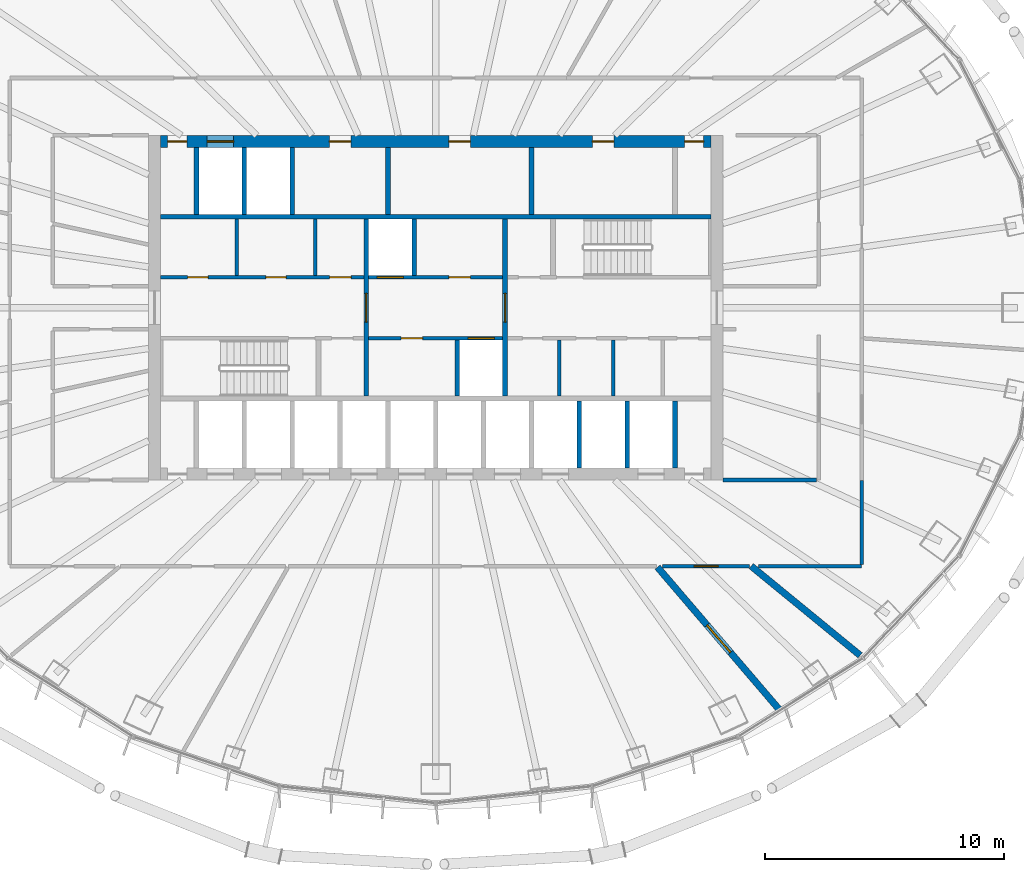
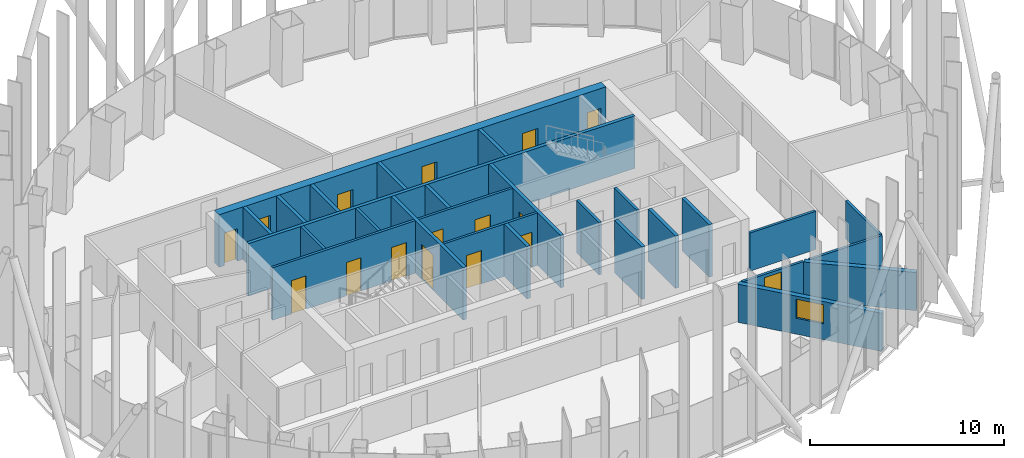
# One storey, part 9 of 19: 27 walls, 16 doors, 1 window, 17 openings.
"""IFC4 building model written with IfcOpenShell, lengths in metres."""

import ifcopenshell
import ifcopenshell.guid

model = None  # the IFC model being written
_history = None  # IfcOwnerHistory: only IFC2X3 demands one
_inside = {}  # id of a spatial element -> (the spatial element, [elements in it])
_under = {}  # id of a project, library or spatial element -> (it, [spatial elements below it])
_declared = {}  # id of a project -> (the project, [libraries it declares])
_typed = {}  # id of a type object -> (the type object, [elements of that type])
_made_of = {}  # id of a material, layer set ... -> (it, [elements and type objects made of it])


def new_model(schema):
    """Start an empty IFC model of exactly this schema.

    Asked for "IFC4X3", IfcOpenShell would pick the latest addendum, in which some entities
    have other attributes; the version numbers below select the first issue.
    IFC2X3 requires an IfcOwnerHistory on every rooted entity: one is made here for all.
    """
    global model, _history
    if schema == "IFC4X3":
        model = ifcopenshell.file(schema_version=(4, 3, 0, 0))
    else:
        model = ifcopenshell.file(schema=schema)
    _inside.clear()
    _under.clear()
    _declared.clear()
    _typed.clear()
    _made_of.clear()
    _history = None
    if model.schema == "IFC2X3":
        org = make("IfcOrganization", Name="unknown")
        user = make(
            "IfcPersonAndOrganization",
            ThePerson=make("IfcPerson", FamilyName="unknown"),
            TheOrganization=org,
        )
        app = make(
            "IfcApplication",
            ApplicationDeveloper=org,
            Version="unknown",
            ApplicationFullName="unknown",
            ApplicationIdentifier="unknown",
        )
        _history = make(
            "IfcOwnerHistory",
            OwningUser=user,
            OwningApplication=app,
            ChangeAction="ADDED",
            CreationDate=0,
        )
    return model


def make(cls, **values):
    """One entity of the class cls with the attributes given. An attribute that is None is left unset."""
    return model.create_entity(
        cls, **{name: value for name, value in values.items() if value is not None}
    )


def rooted(cls, **values):
    """An entity with a GlobalId (a new one), such as an element, a storey or a relation."""
    return make(cls, GlobalId=ifcopenshell.guid.new(), OwnerHistory=_history, **values)


def si_unit(unit_type, name, prefix=None):
    """IfcSIUnit, for example si_unit("LENGTHUNIT", "METRE", prefix="MILLI")."""
    return make("IfcSIUnit", UnitType=unit_type, Prefix=prefix, Name=name)


def assignment(units):
    """IfcUnitAssignment: the units of a project."""
    return None if units is None else make("IfcUnitAssignment", Units=units)


def point(xyz):
    """IfcCartesianPoint."""
    return None if xyz is None else make("IfcCartesianPoint", Coordinates=xyz)


def direction(xyz):
    """IfcDirection."""
    return None if xyz is None else make("IfcDirection", DirectionRatios=xyz)


def frame(location, z_axis=None, x_axis=None):
    """IfcAxis2Placement3D, a coordinate frame: its origin and axes. An axis left out is left unset."""
    return make(
        "IfcAxis2Placement3D",
        Location=point(location),
        Axis=direction(z_axis),
        RefDirection=direction(x_axis),
    )


def frame_2d(location, x_axis=None):
    """IfcAxis2Placement2D, a coordinate frame in the plane: its origin and x axis."""
    return make(
        "IfcAxis2Placement2D", Location=point(location), RefDirection=direction(x_axis)
    )


def origin():
    """The frame at (0, 0, 0) with its axes left unset."""
    return frame((0.0, 0.0, 0.0))


def place(relative_to, where):
    """IfcLocalPlacement: puts the frame where relative to a parent placement (None: the world)."""
    return make(
        "IfcLocalPlacement", PlacementRelTo=relative_to, RelativePlacement=where
    )


def context(
    kind, dimensions, precision=None, world=None, true_north=None, identifier=None
):
    """IfcGeometricRepresentationContext, for example the 3D "Model" context."""
    return make(
        "IfcGeometricRepresentationContext",
        ContextIdentifier=identifier,
        ContextType=kind,
        CoordinateSpaceDimension=dimensions,
        Precision=precision,
        WorldCoordinateSystem=world,
        TrueNorth=true_north,
    )


def subcontext(parent, identifier, kind, view, scale=None):
    """IfcGeometricRepresentationSubContext, for example "Body" below "Model"."""
    return make(
        "IfcGeometricRepresentationSubContext",
        ContextIdentifier=identifier,
        ContextType=kind,
        ParentContext=parent,
        TargetScale=scale,
        TargetView=view,
    )


def project(units=None, contexts=None):
    """IfcProject with its units and contexts."""
    return rooted(
        "IfcProject",
        Name="project",
        RepresentationContexts=contexts,
        UnitsInContext=assignment(units),
    )


def spatial(cls, under=None, at=None, **own):
    """A site, building, storey or space (cls), placed at a placement, below another one or the project."""
    s = rooted(cls, ObjectPlacement=at, **own)
    if under is not None:
        _under.setdefault(under.id(), (under, []))[1].append(s)
    return s


def profile(cls, at=None, kind="AREA", **sizes):
    """A parametric profile (cls). Its sizes go by their IFC names, for example OverallWidth=200.0."""
    return make(cls, ProfileType=kind, Position=at, **sizes)


def rectangle(**sizes):
    """IfcRectangleProfileDef."""
    return profile("IfcRectangleProfileDef", **sizes)


def extrude(swept, where, along, depth):
    """IfcExtrudedAreaSolid: the profile swept, set in the frame where, extruded along a direction by depth."""
    return make(
        "IfcExtrudedAreaSolid",
        SweptArea=swept,
        Position=where,
        ExtrudedDirection=direction(along),
        Depth=depth,
    )


def shape(context_of_items, identifier, shape_type, items):
    """IfcShapeRepresentation: the items that make up one representation, for example the "Body"."""
    return make(
        "IfcShapeRepresentation",
        ContextOfItems=context_of_items,
        RepresentationIdentifier=identifier,
        RepresentationType=shape_type,
        Items=items,
    )


def material(Name=None, Category=None):
    """IfcMaterial."""
    return make("IfcMaterial", Name=Name, Category=Category)


def layer(
    of_material, thickness, ventilated=None, Name=None, Category=None, Priority=None
):
    """IfcMaterialLayer: one layer of a wall or slab, of a material (None: an air gap)."""
    return make(
        "IfcMaterialLayer",
        Material=of_material,
        LayerThickness=thickness,
        IsVentilated=ventilated,
        Name=Name,
        Category=Category,
        Priority=Priority,
    )


def layer_set(layers, Name=None):
    """IfcMaterialLayerSet."""
    return make("IfcMaterialLayerSet", MaterialLayers=layers, LayerSetName=Name)


def made_of(thing, what):
    """Note that an element or type object is made of a material, layer set ...; save() writes the relation."""
    if what is not None:
        _made_of.setdefault(what.id(), (what, []))[1].append(thing)
    return thing


def type_object(cls, material=None, **own):
    """A type object (cls), such as IfcWallType, which elements share."""
    return made_of(rooted(cls, **own), material)


def element(
    cls,
    number,
    at=None,
    inside=None,
    cuts=None,
    type_object=None,
    material=None,
    context=None,
    identifier="Body",
    shape_type=None,
    held_by="IfcProductDefinitionShape",
    body=None,
    shapes=None,
    **own,
):
    """One element of the class cls, such as IfcWall. Its Tag is "e" and its number.

    at: its placement. inside: the storey or other place that contains it. cuts: it is an
    opening in that element (IfcRelVoidsElement). A single representation is given by context,
    identifier, shape_type and body (its items); several are given by shapes. held_by: the class
    of the entity that holds the representations. save() writes the other relations.
    """
    e = rooted(cls, Tag="e%d" % number, ObjectPlacement=at, **own)
    if body is not None:
        shapes = [shape(context, identifier, shape_type, body)]
    if shapes is not None:
        e.Representation = make(held_by, Representations=shapes)
    if inside is not None:
        _inside.setdefault(inside.id(), (inside, []))[1].append(e)
    if cuts is not None:
        rooted(
            "IfcRelVoidsElement", RelatingBuildingElement=cuts, RelatedOpeningElement=e
        )
    if type_object is not None:
        _typed.setdefault(type_object.id(), (type_object, []))[1].append(e)
    return made_of(e, material)


def fill(opening, filler):
    """IfcRelFillsElement: the door or window that sits in an opening."""
    return rooted(
        "IfcRelFillsElement",
        RelatingOpeningElement=opening,
        RelatedBuildingElement=filler,
    )


def aggregate(whole, parts):
    """IfcRelAggregates: a whole, such as a stair, and the parts it consists of."""
    return rooted("IfcRelAggregates", RelatingObject=whole, RelatedObjects=parts)


def save(model, path):
    """Write the relations noted so far, then the file.

    IfcRelAggregates (storeys below a building ...), IfcRelContainedInSpatialStructure (elements
    in a storey), IfcRelDefinesByType, IfcRelAssociatesMaterial and IfcRelDeclares: one each for
    every whole, place, type object, material and project.
    """
    for whole, parts in _under.values():
        aggregate(whole, parts)
    for where, things in _inside.values():
        rooted(
            "IfcRelContainedInSpatialStructure",
            RelatedElements=things,
            RelatingStructure=where,
        )
    for kind, things in _typed.values():
        rooted("IfcRelDefinesByType", RelatedObjects=things, RelatingType=kind)
    for what, things in _made_of.values():
        rooted("IfcRelAssociatesMaterial", RelatedObjects=things, RelatingMaterial=what)
    for by, libraries in _declared.values():
        rooted("IfcRelDeclares", RelatingContext=by, RelatedDefinitions=libraries)
    model.write(path)


model = new_model("IFC4")

# Units and contexts
model_context = context("Model", 3, precision=1e-05, world=origin(), true_north=direction((0.0, 1.0)))
body_context = subcontext(model_context, "Body", "Model", "MODEL_VIEW")
ifc_project = project(units=[si_unit("LENGTHUNIT", "METRE"), si_unit("AREAUNIT", "SQUARE_METRE"), si_unit("VOLUMEUNIT", "CUBIC_METRE"), si_unit("PLANEANGLEUNIT", "RADIAN"), si_unit("MASSUNIT", "GRAM", prefix="KILO")], contexts=[model_context])

# Site, building, storey
site_placement = place(None, origin())
site = spatial("IfcSite", under=ifc_project, at=site_placement, CompositionType="ELEMENT")
building_placement = place(site_placement, origin())
building = spatial("IfcBuilding", under=site, at=building_placement, Name="Siaravel Broadcast Tower", CompositionType="ELEMENT")
storey_placement = place(building_placement, frame((0.0, 0.0, 119.300048828125)))
storey = spatial("IfcBuildingStorey", under=building, at=storey_placement, Name="L28", CompositionType="ELEMENT", Elevation=119.300048828125)

# Wall, opening, window
ifc_material_1 = material(Name="Double-leaf acoustic partition", Category="gypsum")
ifc_layer_1 = layer(ifc_material_1, 0.280029296875)
ifc_layer_set_1 = layer_set([ifc_layer_1], Name="Double-leaf acoustic partition")
wall_type_1 = type_object("IfcWallType", Name="Acoustic double-leaf wall 280", PredefinedType="PARTITIONING", material=ifc_layer_set_1)
wall_1_placement = place(storey_placement, frame((14.38623046875, -16.829345703125, 0.0), z_axis=(0.0, 0.0, 1.0), x_axis=(-0.649784617, 0.76011838, 0.0)))
wall_1 = element("IfcWall", 1, at=wall_1_placement, inside=storey, type_object=wall_type_1, Name="L28 partition 9", PredefinedType="PARTITIONING", context=body_context, shape_type="SweptSolid", body=[
    extrude(rectangle(XDim=7.873046875, YDim=0.280029296875, at=frame_2d((3.9365234375, 0.0))), origin(), (0.0, 0.0, 1.0), 2.39990234375),
])
opening_1_placement = place(wall_1_placement, frame((3.1865234375, 0.0, 1.0)))
opening_1 = element("IfcOpeningElement", 2, at=opening_1_placement, cuts=wall_1, Name="Opening L28-W01", PredefinedType="OPENING", context=body_context, shape_type="SweptSolid", body=[
    extrude(rectangle(XDim=1.5, YDim=1.199951171875, at=frame_2d((0.75, 0.60009765625))), frame((0.0, 0.14990234375, 0.0), z_axis=(0.0, -1.0, 0.0), x_axis=(1.0, 0.0, 0.0)), (0.0, 0.0, 1.0), 0.300048828125),
])
ifc_material_2 = material(Name="Laminated acoustic glass", Category="glass")
window_type = type_object("IfcWindowType", Name="Studio viewing window 1500", PartitioningType="SINGLE_PANEL", PredefinedType="WINDOW", material=ifc_material_2)
window_placement = place(opening_1_placement, origin())
window = element("IfcWindow", 3, at=window_placement, inside=storey, type_object=window_type, Name="L28 viewing window to Post-production room", OverallHeight=1.199951171875, OverallWidth=1.5, PartitioningType="SINGLE_PANEL", PredefinedType="WINDOW", context=body_context, shape_type="SweptSolid", body=[
    extrude(rectangle(XDim=1.5, YDim=1.199951171875, at=frame_2d((0.75, 0.60009765625))), frame((0.0, 0.030029296875, 0.0), z_axis=(0.0, -1.0, 0.0), x_axis=(1.0, 0.0, 0.0)), (0.0, 0.0, 1.0), 0.06005859375),
])
fill(opening_1, window)

# Walls
wall_2_placement = place(storey_placement, frame((13.18505859375, -10.800048828125, 0.0), z_axis=(0.0, 0.0, 1.0), x_axis=(0.773609752, -0.633662333, 0.0)))
element("IfcWall", 4, at=wall_2_placement, inside=storey, type_object=wall_type_1, Name="L28 partition 19", PredefinedType="PARTITIONING", context=body_context, shape_type="SweptSolid", body=[
    extrude(rectangle(XDim=5.885986328125, YDim=0.280029296875, at=frame_2d((2.94287109375, 0.0))), origin(), (0.0, 0.0, 1.0), 2.39990234375),
])
ifc_material_3 = material(Name="Concrete blockwork", Category="masonry")
ifc_layer_2 = layer(ifc_material_3, 0.14990234375)
ifc_layer_set_2 = layer_set([ifc_layer_2], Name="Concrete blockwork")
wall_type_2 = type_object("IfcWallType", Name="Core partition 150", PredefinedType="PARTITIONING", material=ifc_layer_set_2)
for number, where, z_axis, x_axis, name in (
    (5, (-8.30908203125, 1.35009765625, 0.0), (0.0, 0.0, 1.0), (0.0, 1.0, 0.0), "L28 core partition PNW0"),
    (6, (-5.04296875, 1.35009765625, 0.0), (0.0, 0.0, 1.0), (0.0, 1.0, 0.0), "L28 core partition PNW1"),
    (7, (5.16796875, -3.699951171875, 0.0), (0.0, 0.0, 1.0), (0.0, 1.0, 0.0), "L28 core partition PSE0"),
    (8, (7.410888671875, -3.699951171875, 0.0), (0.0, 0.0, 1.0), (0.0, 1.0, 0.0), "L28 core partition PSE1"),
):
    element("IfcWall", number, at=place(storey_placement, frame(where, z_axis=z_axis, x_axis=x_axis)), inside=storey, type_object=wall_type_2, Name=name, PredefinedType="PARTITIONING", context=body_context, shape_type="SweptSolid", body=[
        extrude(rectangle(XDim=2.349853515625, YDim=0.14990234375, at=frame_2d((1.1748046875, 0.0))), origin(), (0.0, 0.0, 1.0), 3.300048828125),
    ])
ifc_layer_3 = layer(ifc_material_3, 0.199951171875)
ifc_layer_set_3 = layer_set([ifc_layer_3], Name="Concrete blockwork")
wall_type_3 = type_object("IfcWallType", Name="Core partition 200", PredefinedType="PARTITIONING", material=ifc_layer_set_3)
for number, where, z_axis, x_axis, name in (
    (9, (-2.0, 3.89990234375, 0.0), (0.0, 0.0, 1.0), (0.0, 1.0, 0.0), "L28 core partition PFN2"),
    (10, (4.0, 3.89990234375, 0.0), (0.0, 0.0, 1.0), (0.0, 1.0, 0.0), "L28 core partition PFN4"),
):
    element("IfcWall", number, at=place(storey_placement, frame(where, z_axis=z_axis, x_axis=x_axis)), inside=storey, type_object=wall_type_3, Name=name, PredefinedType="PARTITIONING", context=body_context, shape_type="SweptSolid", body=[
        extrude(rectangle(XDim=2.800048828125, YDim=0.199951171875, at=frame_2d((1.39990234375, 0.0))), origin(), (0.0, 0.0, 1.0), 3.300048828125),
    ])

# Wall, openings, doors
ifc_material_4 = material(Name="Concrete C60/75", Category="concrete")
ifc_layer_4 = layer(ifc_material_4, 0.5)
ifc_layer_set_4 = layer_set([ifc_layer_4], Name="Concrete C60/75")
wall_type_4 = type_object("IfcWallType", Name="Core wall 500", PredefinedType="SHEAR", material=ifc_layer_set_4)
wall_3_placement = place(storey_placement, frame((-11.5, 6.949951171875, 0.0), z_axis=(0.0, 0.0, 1.0), x_axis=(1.0, 0.0, 0.0)))
wall_3 = element("IfcWall", 11, at=wall_3_placement, inside=storey, type_object=wall_type_4, Name="L28 core wall ON", PredefinedType="SHEAR", context=body_context, shape_type="SweptSolid", body=[
    extrude(rectangle(XDim=23.0, YDim=0.5, at=frame_2d((11.5, 0.0))), origin(), (0.0, 0.0, 1.0), 3.300048828125),
])
opening_2_placement = place(wall_3_placement, frame((1.949951171875, 0.0, 0.0)))
opening_2 = element("IfcOpeningElement", 12, at=opening_2_placement, cuts=wall_3, Name="Opening LD-SV2-L28", PredefinedType="OPENING", context=body_context, shape_type="SweptSolid", body=[
    extrude(rectangle(XDim=1.10009765625, YDim=2.199951171875, at=frame_2d((0.550048828125, 1.10009765625))), frame((0.0, 0.260009765625, 0.0), z_axis=(0.0, -1.0, 0.0), x_axis=(1.0, 0.0, 0.0)), (0.0, 0.0, 1.0), 0.52001953125),
])
opening_3_placement = place(wall_3_placement, frame((7.050048828125, 0.0, 0.0)))
opening_3 = element("IfcOpeningElement", 13, at=opening_3_placement, cuts=wall_3, Name="Opening L28-DFN2", PredefinedType="OPENING", context=body_context, shape_type="SweptSolid", body=[
    extrude(rectangle(XDim=0.89990234375, YDim=2.10009765625, at=frame_2d((0.449951171875, 1.050048828125))), frame((0.0, 0.260009765625, 0.0), z_axis=(0.0, -1.0, 0.0), x_axis=(1.0, 0.0, 0.0)), (0.0, 0.0, 1.0), 0.52001953125),
])
opening_4_placement = place(wall_3_placement, frame((12.050048828125, 0.0, 0.0)))
opening_4 = element("IfcOpeningElement", 14, at=opening_4_placement, cuts=wall_3, Name="Opening L28-DFN4", PredefinedType="OPENING", context=body_context, shape_type="SweptSolid", body=[
    extrude(rectangle(XDim=0.89990234375, YDim=2.10009765625, at=frame_2d((0.449951171875, 1.050048828125))), frame((0.0, 0.260009765625, 0.0), z_axis=(0.0, -1.0, 0.0), x_axis=(1.0, 0.0, 0.0)), (0.0, 0.0, 1.0), 0.52001953125),
])
opening_5_placement = place(wall_3_placement, frame((18.050048828125, 0.0, 0.0)))
opening_5 = element("IfcOpeningElement", 15, at=opening_5_placement, cuts=wall_3, Name="Opening L28-DFN7", PredefinedType="OPENING", context=body_context, shape_type="SweptSolid", body=[
    extrude(rectangle(XDim=0.89990234375, YDim=2.10009765625, at=frame_2d((0.449951171875, 1.050048828125))), frame((0.0, 0.260009765625, 0.0), z_axis=(0.0, -1.0, 0.0), x_axis=(1.0, 0.0, 0.0)), (0.0, 0.0, 1.0), 0.52001953125),
])
opening_6_placement = place(wall_3_placement, frame((0.300048828125, 0.0, 0.0)))
opening_6 = element("IfcOpeningElement", 16, at=opening_6_placement, cuts=wall_3, Name="Opening L28-DRNW", PredefinedType="OPENING", context=body_context, shape_type="SweptSolid", body=[
    extrude(rectangle(XDim=0.800048828125, YDim=2.050048828125, at=frame_2d((0.39990234375, 1.02490234375))), frame((0.0, 0.260009765625, 0.0), z_axis=(0.0, -1.0, 0.0), x_axis=(1.0, 0.0, 0.0)), (0.0, 0.0, 1.0), 0.52001953125),
])
opening_7_placement = place(wall_3_placement, frame((21.89990234375, 0.0, 0.0)))
opening_7 = element("IfcOpeningElement", 17, at=opening_7_placement, cuts=wall_3, Name="Opening L28-DRNE", PredefinedType="OPENING", context=body_context, shape_type="SweptSolid", body=[
    extrude(rectangle(XDim=0.800048828125, YDim=2.050048828125, at=frame_2d((0.39990234375, 1.02490234375))), frame((0.0, 0.260009765625, 0.0), z_axis=(0.0, -1.0, 0.0), x_axis=(1.0, 0.0, 0.0)), (0.0, 0.0, 1.0), 0.52001953125),
])
ifc_material_5 = material(Name="Timber veneer", Category="wood")
door_type_1 = type_object("IfcDoorType", Name="Core room door 900", OperationType="SINGLE_SWING_LEFT", PredefinedType="DOOR", material=ifc_material_5)
door_1_placement = place(opening_3_placement, origin())
door_1 = element("IfcDoor", 18, at=door_1_placement, inside=storey, type_object=door_type_1, Name="L28 door DFN2", OperationType="SINGLE_SWING_LEFT", OverallHeight=2.10009765625, OverallWidth=0.89990234375, PredefinedType="DOOR", context=body_context, shape_type="SweptSolid", body=[
    extrude(rectangle(XDim=0.89990234375, YDim=2.10009765625, at=frame_2d((0.449951171875, 1.050048828125))), frame((0.0, 0.02490234375, 0.0), z_axis=(0.0, -1.0, 0.0), x_axis=(1.0, 0.0, 0.0)), (0.0, 0.0, 1.0), 0.050048828125),
])
fill(opening_3, door_1)
door_2_placement = place(opening_4_placement, origin())
door_2 = element("IfcDoor", 19, at=door_2_placement, inside=storey, type_object=door_type_1, Name="L28 door DFN4", OperationType="SINGLE_SWING_LEFT", OverallHeight=2.10009765625, OverallWidth=0.89990234375, PredefinedType="DOOR", context=body_context, shape_type="SweptSolid", body=[
    extrude(rectangle(XDim=0.89990234375, YDim=2.10009765625, at=frame_2d((0.449951171875, 1.050048828125))), frame((0.0, 0.02490234375, 0.0), z_axis=(0.0, -1.0, 0.0), x_axis=(1.0, 0.0, 0.0)), (0.0, 0.0, 1.0), 0.050048828125),
])
fill(opening_4, door_2)
door_3_placement = place(opening_5_placement, origin())
door_3 = element("IfcDoor", 20, at=door_3_placement, inside=storey, type_object=door_type_1, Name="L28 door DFN7", OperationType="SINGLE_SWING_LEFT", OverallHeight=2.10009765625, OverallWidth=0.89990234375, PredefinedType="DOOR", context=body_context, shape_type="SweptSolid", body=[
    extrude(rectangle(XDim=0.89990234375, YDim=2.10009765625, at=frame_2d((0.449951171875, 1.050048828125))), frame((0.0, 0.02490234375, 0.0), z_axis=(0.0, -1.0, 0.0), x_axis=(1.0, 0.0, 0.0)), (0.0, 0.0, 1.0), 0.050048828125),
])
fill(opening_5, door_3)
ifc_material_6 = material(Name="Steel", Category="steel")
door_type_2 = type_object("IfcDoorType", Name="Riser door 800", OperationType="SINGLE_SWING_LEFT", PredefinedType="DOOR", material=ifc_material_6)
door_4_placement = place(opening_6_placement, origin())
door_4 = element("IfcDoor", 21, at=door_4_placement, inside=storey, type_object=door_type_2, Name="L28 door DRNW", OperationType="SINGLE_SWING_LEFT", OverallHeight=2.050048828125, OverallWidth=0.800048828125, PredefinedType="DOOR", context=body_context, shape_type="SweptSolid", body=[
    extrude(rectangle(XDim=0.800048828125, YDim=2.050048828125, at=frame_2d((0.39990234375, 1.02490234375))), frame((0.0, 0.02490234375, 0.0), z_axis=(0.0, -1.0, 0.0), x_axis=(1.0, 0.0, 0.0)), (0.0, 0.0, 1.0), 0.050048828125),
])
fill(opening_6, door_4)
door_5_placement = place(opening_7_placement, origin())
door_5 = element("IfcDoor", 22, at=door_5_placement, inside=storey, type_object=door_type_2, Name="L28 door DRNE", OperationType="SINGLE_SWING_LEFT", OverallHeight=2.050048828125, OverallWidth=0.800048828125, PredefinedType="DOOR", context=body_context, shape_type="SweptSolid", body=[
    extrude(rectangle(XDim=0.800048828125, YDim=2.050048828125, at=frame_2d((0.39990234375, 1.02490234375))), frame((0.0, 0.02490234375, 0.0), z_axis=(0.0, -1.0, 0.0), x_axis=(1.0, 0.0, 0.0)), (0.0, 0.0, 1.0), 0.050048828125),
])
fill(opening_7, door_5)
ifc_material_7 = material(Name="Stainless steel 316L", Category="steel")
door_type_3 = type_object("IfcDoorType", Name="Service lift landing door 1100", OperationType="DOUBLE_DOOR_SLIDING", PredefinedType="DOOR", material=ifc_material_7)
door_6_placement = place(opening_2_placement, origin())
door_6 = element("IfcDoor", 23, at=door_6_placement, inside=storey, type_object=door_type_3, Name="Landing door SV2 L28", OperationType="DOUBLE_DOOR_SLIDING", OverallHeight=2.199951171875, OverallWidth=1.10009765625, PredefinedType="DOOR", context=body_context, shape_type="SweptSolid", body=[
    extrude(rectangle(XDim=1.10009765625, YDim=2.199951171875, at=frame_2d((0.550048828125, 1.10009765625))), frame((0.0, 0.02490234375, 0.0), z_axis=(0.0, -1.0, 0.0), x_axis=(1.0, 0.0, 0.0)), (0.0, 0.0, 1.0), 0.050048828125),
])
fill(opening_2, door_6)

ifc_material_8 = material(Name="Gypsum board partition", Category="gypsum")
ifc_layer_5 = layer(ifc_material_8, 0.14990234375)
ifc_layer_set_5 = layer_set([ifc_layer_5], Name="Gypsum board partition")
wall_type_5 = type_object("IfcWallType", Name="Corridor wall 150", PredefinedType="PARTITIONING", material=ifc_layer_set_5)
wall_4_placement = place(storey_placement, frame((-11.5, 1.27490234375, 0.0), z_axis=(0.0, 0.0, 1.0), x_axis=(1.0, 0.0, 0.0)))
wall_4 = element("IfcWall", 24, at=wall_4_placement, inside=storey, type_object=wall_type_5, Name="L28 core partition CNW", PredefinedType="PARTITIONING", context=body_context, shape_type="SweptSolid", body=[
    extrude(rectangle(XDim=8.5, YDim=0.14990234375, at=frame_2d((4.25, 0.0))), origin(), (0.0, 0.0, 1.0), 3.300048828125),
])
opening_8_placement = place(wall_4_placement, frame((1.133056640625, 0.0, 0.0)))
opening_8 = element("IfcOpeningElement", 25, at=opening_8_placement, cuts=wall_4, Name="Opening L28-DNW0", PredefinedType="OPENING", context=body_context, shape_type="SweptSolid", body=[
    extrude(rectangle(XDim=0.85009765625, YDim=2.10009765625, at=frame_2d((0.425048828125, 1.050048828125))), frame((0.0, 0.0849609375, 0.0), z_axis=(0.0, -1.0, 0.0), x_axis=(1.0, 0.0, 0.0)), (0.0, 0.0, 1.0), 0.169921875),
])
opening_9_placement = place(wall_4_placement, frame((4.39892578125, 0.0, 0.0)))
opening_9 = element("IfcOpeningElement", 26, at=opening_9_placement, cuts=wall_4, Name="Opening L28-DNW1", PredefinedType="OPENING", context=body_context, shape_type="SweptSolid", body=[
    extrude(rectangle(XDim=0.85009765625, YDim=2.10009765625, at=frame_2d((0.425048828125, 1.050048828125))), frame((0.0, 0.0849609375, 0.0), z_axis=(0.0, -1.0, 0.0), x_axis=(1.0, 0.0, 0.0)), (0.0, 0.0, 1.0), 0.169921875),
])
opening_10_placement = place(wall_4_placement, frame((7.06591796875, 0.0, 0.0)))
opening_10 = element("IfcOpeningElement", 27, at=opening_10_placement, cuts=wall_4, Name="Opening L28-DNW2", PredefinedType="OPENING", context=body_context, shape_type="SweptSolid", body=[
    extrude(rectangle(XDim=0.89990234375, YDim=2.10009765625, at=frame_2d((0.449951171875, 1.050048828125))), frame((0.0, 0.0849609375, 0.0), z_axis=(0.0, -1.0, 0.0), x_axis=(1.0, 0.0, 0.0)), (0.0, 0.0, 1.0), 0.169921875),
])
door_7_placement = place(opening_10_placement, origin())
door_7 = element("IfcDoor", 28, at=door_7_placement, inside=storey, type_object=door_type_1, Name="L28 door DNW2", OperationType="SINGLE_SWING_LEFT", OverallHeight=2.10009765625, OverallWidth=0.89990234375, PredefinedType="DOOR", context=body_context, shape_type="SweptSolid", body=[
    extrude(rectangle(XDim=0.89990234375, YDim=2.10009765625, at=frame_2d((0.449951171875, 1.050048828125))), frame((0.0, 0.02490234375, 0.0), z_axis=(0.0, -1.0, 0.0), x_axis=(1.0, 0.0, 0.0)), (0.0, 0.0, 1.0), 0.050048828125),
])
fill(opening_10, door_7)
door_type_4 = type_object("IfcDoorType", Name="Core toilet door 850", OperationType="SINGLE_SWING_LEFT", PredefinedType="DOOR", material=ifc_material_5)
door_8_placement = place(opening_8_placement, origin())
door_8 = element("IfcDoor", 29, at=door_8_placement, inside=storey, type_object=door_type_4, Name="L28 door DNW0", OperationType="SINGLE_SWING_LEFT", OverallHeight=2.10009765625, OverallWidth=0.85009765625, PredefinedType="DOOR", context=body_context, shape_type="SweptSolid", body=[
    extrude(rectangle(XDim=0.85009765625, YDim=2.10009765625, at=frame_2d((0.425048828125, 1.050048828125))), frame((0.0, 0.02490234375, 0.0), z_axis=(0.0, -1.0, 0.0), x_axis=(1.0, 0.0, 0.0)), (0.0, 0.0, 1.0), 0.050048828125),
])
fill(opening_8, door_8)
door_9_placement = place(opening_9_placement, origin())
door_9 = element("IfcDoor", 30, at=door_9_placement, inside=storey, type_object=door_type_4, Name="L28 door DNW1", OperationType="SINGLE_SWING_LEFT", OverallHeight=2.10009765625, OverallWidth=0.85009765625, PredefinedType="DOOR", context=body_context, shape_type="SweptSolid", body=[
    extrude(rectangle(XDim=0.85009765625, YDim=2.10009765625, at=frame_2d((0.425048828125, 1.050048828125))), frame((0.0, 0.02490234375, 0.0), z_axis=(0.0, -1.0, 0.0), x_axis=(1.0, 0.0, 0.0)), (0.0, 0.0, 1.0), 0.050048828125),
])
fill(opening_9, door_9)

# Walls
wall_5_placement = place(storey_placement, frame((13.49951171875, -10.800048828125, 0.0), z_axis=(0.0, 0.0, 1.0), x_axis=(1.0, 0.0, 0.0)))
element("IfcWall", 31, at=wall_5_placement, inside=storey, type_object=wall_type_5, Name="L28 partition 21", PredefinedType="PARTITIONING", context=body_context, shape_type="SweptSolid", body=[
    extrude(rectangle(XDim=4.300537109375, YDim=0.14990234375, at=frame_2d((2.150390625, 0.0))), origin(), (0.0, 0.0, 1.0), 2.39990234375),
])
wall_6_placement = place(storey_placement, frame((15.923095703125, -7.199951171875, 0.0), z_axis=(0.0, 0.0, 1.0), x_axis=(-1.0, 0.0, 0.0)))
element("IfcWall", 32, at=wall_6_placement, inside=storey, type_object=wall_type_5, Name="L28 partition 29", PredefinedType="PARTITIONING", context=body_context, shape_type="SweptSolid", body=[
    extrude(rectangle(XDim=3.923095703125, YDim=0.14990234375, at=frame_2d((1.96142578125, 0.0))), origin(), (0.0, 0.0, 1.0), 2.39990234375),
])

# Wall, opening, door
wall_7_placement = place(storey_placement, frame((9.482421875, -10.800048828125, 0.0), z_axis=(0.0, 0.0, 1.0), x_axis=(1.0, 0.0, 0.0)))
wall_7 = element("IfcWall", 33, at=wall_7_placement, inside=storey, type_object=wall_type_5, Name="L28 partition 31", PredefinedType="PARTITIONING", context=body_context, shape_type="SweptSolid", body=[
    extrude(rectangle(XDim=3.63916015625, YDim=0.14990234375, at=frame_2d((1.819580078125, 0.0))), origin(), (0.0, 0.0, 1.0), 2.39990234375),
])
opening_11_placement = place(wall_7_placement, frame((1.319580078125, 0.0, 0.0)))
opening_11 = element("IfcOpeningElement", 34, at=opening_11_placement, cuts=wall_7, Name="Opening L28-017", PredefinedType="OPENING", context=body_context, shape_type="SweptSolid", body=[
    extrude(rectangle(XDim=1.0, YDim=2.199951171875, at=frame_2d((0.5, 1.10009765625))), frame((0.0, 0.0849609375, 0.0), z_axis=(0.0, -1.0, 0.0), x_axis=(1.0, 0.0, 0.0)), (0.0, 0.0, 1.0), 0.169921875),
])
ifc_material_9 = material(Name="Acoustic timber and steel", Category="steel")
door_type_5 = type_object("IfcDoorType", Name="Acoustic door 1000", OperationType="SINGLE_SWING_LEFT", PredefinedType="DOOR", material=ifc_material_9)
door_10_placement = place(opening_11_placement, origin())
door_10 = element("IfcDoor", 35, at=door_10_placement, inside=storey, type_object=door_type_5, Name="L28 door to Post-production room", OperationType="SINGLE_SWING_LEFT", OverallHeight=2.199951171875, OverallWidth=1.0, PredefinedType="DOOR", context=body_context, shape_type="SweptSolid", body=[
    extrude(rectangle(XDim=1.0, YDim=2.199951171875, at=frame_2d((0.5, 1.10009765625))), frame((0.0, 0.02490234375, 0.0), z_axis=(0.0, -1.0, 0.0), x_axis=(1.0, 0.0, 0.0)), (0.0, 0.0, 1.0), 0.050048828125),
])
fill(opening_11, door_10)

# Wall
wall_8_placement = place(storey_placement, frame((17.800048828125, -10.722900390625, 0.0), z_axis=(0.0, 0.0, 1.0), x_axis=(0.0, 1.0, 0.0)))
element("IfcWall", 36, at=wall_8_placement, inside=storey, type_object=wall_type_5, Name="L28 partition 35", PredefinedType="PARTITIONING", context=body_context, shape_type="SweptSolid", body=[
    extrude(rectangle(XDim=3.510009765625, YDim=0.14990234375, at=frame_2d((1.7548828125, 0.0))), origin(), (0.0, 0.0, 1.0), 2.39990234375),
])

# Wall, openings, doors
ifc_layer_6 = layer(ifc_material_4, 0.14990234375)
ifc_layer_set_6 = layer_set([ifc_layer_6], Name="Concrete C60/75")
wall_type_6 = type_object("IfcWallType", Name="Shaft wall 150", PredefinedType="SHEAR", material=ifc_layer_set_6)
wall_9_placement = place(storey_placement, frame((-2.800048828125, -1.27490234375, 0.0), z_axis=(0.0, 0.0, 1.0), x_axis=(1.0, 0.0, 0.0)))
wall_9 = element("IfcWall", 37, at=wall_9_placement, inside=storey, type_object=wall_type_6, Name="L28 core wall CSM", PredefinedType="SHEAR", context=body_context, shape_type="SweptSolid", body=[
    extrude(rectangle(XDim=5.60009765625, YDim=0.14990234375, at=frame_2d((2.800048828125, 0.0))), origin(), (0.0, 0.0, 1.0), 3.300048828125),
])
opening_12_placement = place(wall_9_placement, frame((4.14990234375, 0.0, 0.0)))
opening_12 = element("IfcOpeningElement", 38, at=opening_12_placement, cuts=wall_9, Name="Opening LD-FL2-L28", PredefinedType="OPENING", context=body_context, shape_type="SweptSolid", body=[
    extrude(rectangle(XDim=1.10009765625, YDim=2.199951171875, at=frame_2d((0.550048828125, 1.10009765625))), frame((0.0, 0.0849609375, 0.0), z_axis=(0.0, -1.0, 0.0), x_axis=(1.0, 0.0, 0.0)), (0.0, 0.0, 1.0), 0.169921875),
])
opening_13_placement = place(wall_9_placement, frame((1.35009765625, 0.0, 0.0)))
opening_13 = element("IfcOpeningElement", 39, at=opening_13_placement, cuts=wall_9, Name="Opening L28-DSM0", PredefinedType="OPENING", context=body_context, shape_type="SweptSolid", body=[
    extrude(rectangle(XDim=0.89990234375, YDim=2.10009765625, at=frame_2d((0.449951171875, 1.050048828125))), frame((0.0, 0.0849609375, 0.0), z_axis=(0.0, -1.0, 0.0), x_axis=(1.0, 0.0, 0.0)), (0.0, 0.0, 1.0), 0.169921875),
])
door_11_placement = place(opening_13_placement, origin())
door_11 = element("IfcDoor", 40, at=door_11_placement, inside=storey, type_object=door_type_1, Name="L28 door DSM0", OperationType="SINGLE_SWING_LEFT", OverallHeight=2.10009765625, OverallWidth=0.89990234375, PredefinedType="DOOR", context=body_context, shape_type="SweptSolid", body=[
    extrude(rectangle(XDim=0.89990234375, YDim=2.10009765625, at=frame_2d((0.449951171875, 1.050048828125))), frame((0.0, 0.02490234375, 0.0), z_axis=(0.0, -1.0, 0.0), x_axis=(1.0, 0.0, 0.0)), (0.0, 0.0, 1.0), 0.050048828125),
])
fill(opening_13, door_11)
door_type_6 = type_object("IfcDoorType", Name="Firefighting lift landing door 1100", OperationType="DOUBLE_DOOR_SLIDING", PredefinedType="DOOR", material=ifc_material_7)
door_12_placement = place(opening_12_placement, origin())
door_12 = element("IfcDoor", 41, at=door_12_placement, inside=storey, type_object=door_type_6, Name="Landing door FL2 L28", OperationType="DOUBLE_DOOR_SLIDING", OverallHeight=2.199951171875, OverallWidth=1.10009765625, PredefinedType="DOOR", context=body_context, shape_type="SweptSolid", body=[
    extrude(rectangle(XDim=1.10009765625, YDim=2.199951171875, at=frame_2d((0.550048828125, 1.10009765625))), frame((0.0, 0.02490234375, 0.0), z_axis=(0.0, -1.0, 0.0), x_axis=(1.0, 0.0, 0.0)), (0.0, 0.0, 1.0), 0.050048828125),
])
fill(opening_12, door_12)

wall_10_placement = place(storey_placement, frame((-2.800048828125, 1.27490234375, 0.0), z_axis=(0.0, 0.0, 1.0), x_axis=(1.0, 0.0, 0.0)))
wall_10 = element("IfcWall", 42, at=wall_10_placement, inside=storey, type_object=wall_type_6, Name="L28 core wall CNM", PredefinedType="SHEAR", context=body_context, shape_type="SweptSolid", body=[
    extrude(rectangle(XDim=5.60009765625, YDim=0.14990234375, at=frame_2d((2.800048828125, 0.0))), origin(), (0.0, 0.0, 1.0), 3.300048828125),
])
opening_14_placement = place(wall_10_placement, frame((0.35009765625, 0.0, 0.0)))
opening_14 = element("IfcOpeningElement", 43, at=opening_14_placement, cuts=wall_10, Name="Opening LD-FL1-L28", PredefinedType="OPENING", context=body_context, shape_type="SweptSolid", body=[
    extrude(rectangle(XDim=1.10009765625, YDim=2.199951171875, at=frame_2d((0.550048828125, 1.10009765625))), frame((0.0, 0.0849609375, 0.0), z_axis=(0.0, -1.0, 0.0), x_axis=(1.0, 0.0, 0.0)), (0.0, 0.0, 1.0), 0.169921875),
])
opening_15_placement = place(wall_10_placement, frame((3.35009765625, 0.0, 0.0)))
opening_15 = element("IfcOpeningElement", 44, at=opening_15_placement, cuts=wall_10, Name="Opening L28-DNM0", PredefinedType="OPENING", context=body_context, shape_type="SweptSolid", body=[
    extrude(rectangle(XDim=0.89990234375, YDim=2.10009765625, at=frame_2d((0.449951171875, 1.050048828125))), frame((0.0, 0.0849609375, 0.0), z_axis=(0.0, -1.0, 0.0), x_axis=(1.0, 0.0, 0.0)), (0.0, 0.0, 1.0), 0.169921875),
])
door_13_placement = place(opening_15_placement, origin())
door_13 = element("IfcDoor", 45, at=door_13_placement, inside=storey, type_object=door_type_1, Name="L28 door DNM0", OperationType="SINGLE_SWING_LEFT", OverallHeight=2.10009765625, OverallWidth=0.89990234375, PredefinedType="DOOR", context=body_context, shape_type="SweptSolid", body=[
    extrude(rectangle(XDim=0.89990234375, YDim=2.10009765625, at=frame_2d((0.449951171875, 1.050048828125))), frame((0.0, 0.02490234375, 0.0), z_axis=(0.0, -1.0, 0.0), x_axis=(1.0, 0.0, 0.0)), (0.0, 0.0, 1.0), 0.050048828125),
])
fill(opening_15, door_13)
door_14_placement = place(opening_14_placement, origin())
door_14 = element("IfcDoor", 46, at=door_14_placement, inside=storey, type_object=door_type_6, Name="Landing door FL1 L28", OperationType="DOUBLE_DOOR_SLIDING", OverallHeight=2.199951171875, OverallWidth=1.10009765625, PredefinedType="DOOR", context=body_context, shape_type="SweptSolid", body=[
    extrude(rectangle(XDim=1.10009765625, YDim=2.199951171875, at=frame_2d((0.550048828125, 1.10009765625))), frame((0.0, 0.02490234375, 0.0), z_axis=(0.0, -1.0, 0.0), x_axis=(1.0, 0.0, 0.0)), (0.0, 0.0, 1.0), 0.050048828125),
])
fill(opening_14, door_14)

# Walls
ifc_layer_7 = layer(ifc_material_4, 0.199951171875)
ifc_layer_set_7 = layer_set([ifc_layer_7], Name="Concrete C60/75")
wall_type_7 = type_object("IfcWallType", Name="Shaft wall 200", PredefinedType="SHEAR", material=ifc_layer_set_7)
wall_11_placement = place(storey_placement, frame((-11.5, 3.800048828125, 0.0), z_axis=(0.0, 0.0, 1.0), x_axis=(1.0, 0.0, 0.0)))
element("IfcWall", 47, at=wall_11_placement, inside=storey, type_object=wall_type_7, Name="L28 core wall BN", PredefinedType="SHEAR", context=body_context, shape_type="SweptSolid", body=[
    extrude(rectangle(XDim=23.0, YDim=0.199951171875, at=frame_2d((11.5, 0.0))), origin(), (0.0, 0.0, 1.0), 3.300048828125),
])
for number, where, z_axis, x_axis, name in (
    (48, (6.0, -6.699951171875, 0.0), (0.0, 0.0, 1.0), (0.0, 1.0, 0.0), "L28 core wall SWS8"),
    (49, (8.0, -6.699951171875, 0.0), (0.0, 0.0, 1.0), (0.0, 1.0, 0.0), "L28 core wall SWS9"),
    (50, (10.0, -6.699951171875, 0.0), (0.0, 0.0, 1.0), (0.0, 1.0, 0.0), "L28 core wall SWS10"),
    (51, (-10.0, 3.89990234375, 0.0), (0.0, 0.0, 1.0), (0.0, 1.0, 0.0), "L28 core wall SWN0"),
    (52, (-8.0, 3.89990234375, 0.0), (0.0, 0.0, 1.0), (0.0, 1.0, 0.0), "L28 core wall SWN1"),
    (53, (-6.0, 3.89990234375, 0.0), (0.0, 0.0, 1.0), (0.0, 1.0, 0.0), "L28 core wall SWN2"),
):
    element("IfcWall", number, at=place(storey_placement, frame(where, z_axis=z_axis, x_axis=x_axis)), inside=storey, type_object=wall_type_7, Name=name, PredefinedType="SHEAR", context=body_context, shape_type="SweptSolid", body=[
        extrude(rectangle(XDim=2.800048828125, YDim=0.199951171875, at=frame_2d((1.39990234375, 0.0))), origin(), (0.0, 0.0, 1.0), 3.300048828125),
    ])

# Wall, opening, door
wall_12_placement = place(storey_placement, frame((-2.89990234375, -3.699951171875, 0.0), z_axis=(0.0, 0.0, 1.0), x_axis=(0.0, 1.0, 0.0)))
wall_12 = element("IfcWall", 54, at=wall_12_placement, inside=storey, type_object=wall_type_7, Name="L28 core wall LW", PredefinedType="SHEAR", context=body_context, shape_type="SweptSolid", body=[
    extrude(rectangle(XDim=7.39990234375, YDim=0.199951171875, at=frame_2d((3.699951171875, 0.0))), origin(), (0.0, 0.0, 1.0), 3.300048828125),
])
opening_16_placement = place(wall_12_placement, frame((3.10009765625, 0.0, 0.0)))
opening_16 = element("IfcOpeningElement", 55, at=opening_16_placement, cuts=wall_12, Name="Opening L28-DL-W", PredefinedType="OPENING", context=body_context, shape_type="SweptSolid", body=[
    extrude(rectangle(XDim=1.199951171875, YDim=2.199951171875, at=frame_2d((0.60009765625, 1.10009765625))), frame((0.0, 0.10986328125, 0.0), z_axis=(0.0, -1.0, 0.0), x_axis=(1.0, 0.0, 0.0)), (0.0, 0.0, 1.0), 0.219970703125),
])
door_type_7 = type_object("IfcDoorType", Name="Firefighting lobby door 1200", OperationType="SINGLE_SWING_LEFT", PredefinedType="DOOR", material=ifc_material_6)
door_15_placement = place(opening_16_placement, origin())
door_15 = element("IfcDoor", 56, at=door_15_placement, inside=storey, type_object=door_type_7, Name="L28 door DL-W", OperationType="SINGLE_SWING_LEFT", OverallHeight=2.199951171875, OverallWidth=1.199951171875, PredefinedType="DOOR", context=body_context, shape_type="SweptSolid", body=[
    extrude(rectangle(XDim=1.199951171875, YDim=2.199951171875, at=frame_2d((0.60009765625, 1.10009765625))), frame((0.0, 0.02490234375, 0.0), z_axis=(0.0, -1.0, 0.0), x_axis=(1.0, 0.0, 0.0)), (0.0, 0.0, 1.0), 0.050048828125),
])
fill(opening_16, door_15)

wall_13_placement = place(storey_placement, frame((2.89990234375, -3.699951171875, 0.0), z_axis=(0.0, 0.0, 1.0), x_axis=(0.0, 1.0, 0.0)))
wall_13 = element("IfcWall", 57, at=wall_13_placement, inside=storey, type_object=wall_type_7, Name="L28 core wall LE", PredefinedType="SHEAR", context=body_context, shape_type="SweptSolid", body=[
    extrude(rectangle(XDim=7.39990234375, YDim=0.199951171875, at=frame_2d((3.699951171875, 0.0))), origin(), (0.0, 0.0, 1.0), 3.300048828125),
])
opening_17_placement = place(wall_13_placement, frame((3.10009765625, 0.0, 0.0)))
opening_17 = element("IfcOpeningElement", 58, at=opening_17_placement, cuts=wall_13, Name="Opening L28-DL-E", PredefinedType="OPENING", context=body_context, shape_type="SweptSolid", body=[
    extrude(rectangle(XDim=1.199951171875, YDim=2.199951171875, at=frame_2d((0.60009765625, 1.10009765625))), frame((0.0, 0.10986328125, 0.0), z_axis=(0.0, -1.0, 0.0), x_axis=(1.0, 0.0, 0.0)), (0.0, 0.0, 1.0), 0.219970703125),
])
door_16_placement = place(opening_17_placement, origin())
door_16 = element("IfcDoor", 59, at=door_16_placement, inside=storey, type_object=door_type_7, Name="L28 door DL-E", OperationType="SINGLE_SWING_LEFT", OverallHeight=2.199951171875, OverallWidth=1.199951171875, PredefinedType="DOOR", context=body_context, shape_type="SweptSolid", body=[
    extrude(rectangle(XDim=1.199951171875, YDim=2.199951171875, at=frame_2d((0.60009765625, 1.10009765625))), frame((0.0, 0.02490234375, 0.0), z_axis=(0.0, -1.0, 0.0), x_axis=(1.0, 0.0, 0.0)), (0.0, 0.0, 1.0), 0.050048828125),
])
fill(opening_17, door_16)

# Walls
for number, where, z_axis, x_axis, name in (
    (60, (-0.89990234375, 1.35009765625, 0.0), (0.0, 0.0, 1.0), (0.0, 1.0, 0.0), "L28 core wall FF1E"),
    (61, (0.89990234375, -3.699951171875, 0.0), (0.0, 0.0, 1.0), (0.0, 1.0, 0.0), "L28 core wall FF2W"),
):
    element("IfcWall", number, at=place(storey_placement, frame(where, z_axis=z_axis, x_axis=x_axis)), inside=storey, type_object=wall_type_7, Name=name, PredefinedType="SHEAR", context=body_context, shape_type="SweptSolid", body=[
        extrude(rectangle(XDim=2.349853515625, YDim=0.199951171875, at=frame_2d((1.1748046875, 0.0))), origin(), (0.0, 0.0, 1.0), 3.300048828125),
    ])

save(model, "model.ifc")
